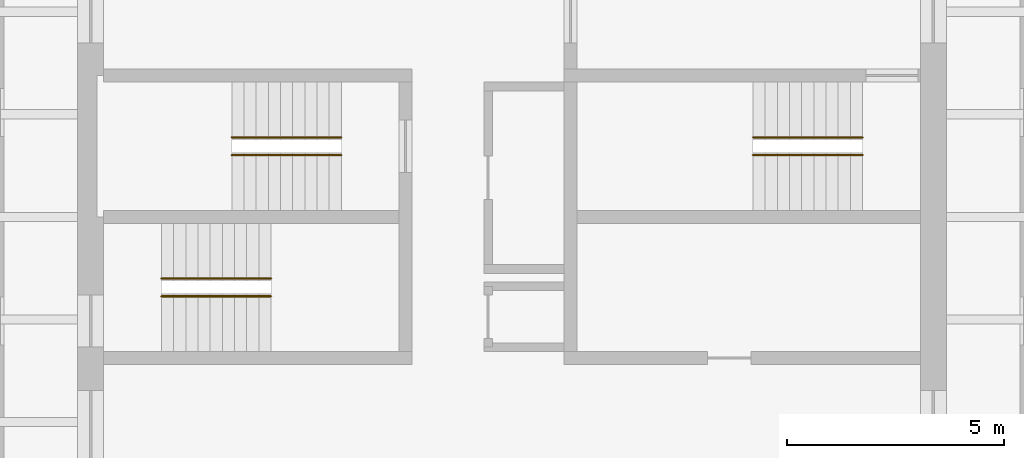
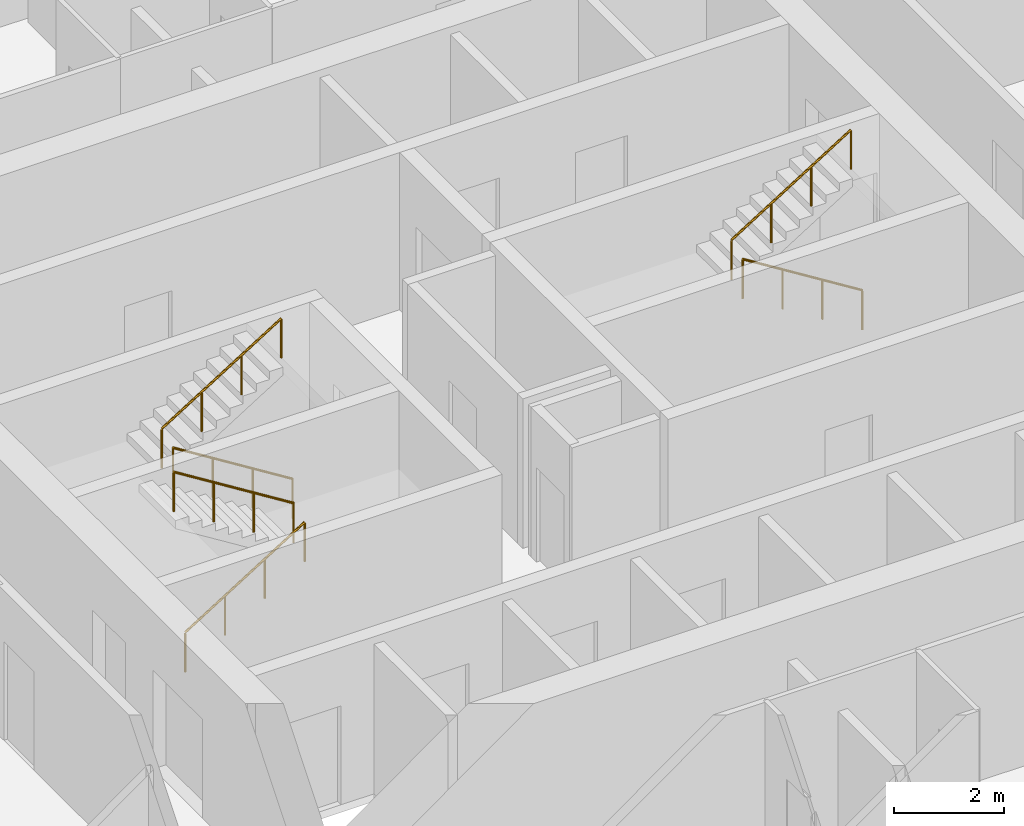
# One storey, part 12 of 12: 6 railings.
"""IFC4 building model written with IfcOpenShell, lengths in metres."""

from ifc_helpers import new_model, si_unit, direction, frame, origin, origin_2d, place, context, subcontext, project, spatial, circle, extrude, material, type_object, element, save


model = new_model("IFC4")

# Units and contexts
model_context = context("Model", 3, precision=1e-05, world=origin(), true_north=direction((0.0, 1.0)))
body_context = subcontext(model_context, "Body", "Model", "MODEL_VIEW")
ifc_project = project(units=[si_unit("LENGTHUNIT", "METRE"), si_unit("AREAUNIT", "SQUARE_METRE"), si_unit("VOLUMEUNIT", "CUBIC_METRE"), si_unit("PLANEANGLEUNIT", "RADIAN"), si_unit("MASSUNIT", "GRAM", prefix="KILO")], contexts=[model_context])

# Site, building, storey
site_placement = place(None, origin())
site = spatial("IfcSite", under=ifc_project, at=site_placement, CompositionType="ELEMENT")
building_placement = place(site_placement, origin())
building = spatial("IfcBuilding", under=site, at=building_placement, Name="Turquesa Mirador Hotel Tower", CompositionType="ELEMENT")
storey_placement = place(building_placement, frame((0.0, 0.0, 233.699951171875)))
storey = spatial("IfcBuildingStorey", under=building, at=storey_placement, Name="L63", CompositionType="ELEMENT", Elevation=233.699951171875)

# Railings
ifc_material = material(Name="Painted steel handrail", Category="steel")
railing_type = type_object("IfcRailingType", Name="HANDRAIL 900 STEEL", PredefinedType="HANDRAIL", material=ifc_material)
railing_1_placement = place(storey_placement, frame((51.070068359375, 46.419921875, 0.175048828125)))
element("IfcRailing", 1, at=railing_1_placement, inside=storey, type_object=railing_type, Name="Handrail ST1", PredefinedType="HANDRAIL", context=body_context, shape_type="SweptSolid", body=[
    extrude(circle(Radius=0.02392578125, at=origin_2d()), frame((0.0, 0.0, 0.8759765625), z_axis=(-0.848007534815, 0.0, 0.529984170421), x_axis=(0.0, -1.0, 0.0)), (0.0, 0.0, 1.0), 2.9716796875),
    extrude(circle(Radius=0.02099609375, at=origin_2d()), origin(), (0.0, 0.0, 1.0), 0.851806640625),
    extrude(circle(Radius=0.02099609375, at=origin_2d()), frame((-0.840087890625, 0.0, 0.52490234375)), (0.0, 0.0, 1.0), 0.851806640625),
    extrude(circle(Radius=0.02099609375, at=origin_2d()), frame((-1.679931640625, 0.0, 1.050048828125)), (0.0, 0.0, 1.0), 0.851806640625),
    extrude(circle(Radius=0.02099609375, at=origin_2d()), frame((-2.52001953125, 0.0, 1.574951171875)), (0.0, 0.0, 1.0), 0.851806640625),
])
for number, where, name in (
    (2, (48.550048828125, 46.830078125, 1.925048828125), "Handrail ST1"),
    (3, (46.929931640625, 43.169921875, 0.175048828125), "Handrail ST2"),
):
    element("IfcRailing", number, at=place(storey_placement, frame(where)), inside=storey, type_object=railing_type, Name=name, PredefinedType="HANDRAIL", context=body_context, shape_type="SweptSolid", body=[
        extrude(circle(Radius=0.02392578125, at=origin_2d()), frame((0.0, 0.0, 0.8759765625), z_axis=(0.848007534815, 0.0, 0.529984170421), x_axis=(0.0, 1.0, 0.0)), (0.0, 0.0, 1.0), 2.9716796875),
        extrude(circle(Radius=0.02099609375, at=origin_2d()), origin(), (0.0, 0.0, 1.0), 0.851806640625),
        extrude(circle(Radius=0.02099609375, at=origin_2d()), frame((0.840087890625, 0.0, 0.52490234375)), (0.0, 0.0, 1.0), 0.851806640625),
        extrude(circle(Radius=0.02099609375, at=origin_2d()), frame((1.679931640625, 0.0, 1.050048828125)), (0.0, 0.0, 1.0), 0.851806640625),
        extrude(circle(Radius=0.02099609375, at=origin_2d()), frame((2.52001953125, 0.0, 1.574951171875)), (0.0, 0.0, 1.0), 0.851806640625),
    ])
for number, where, name in (
    (4, (49.449951171875, 43.580078125, 1.925048828125), "Handrail ST2"),
    (5, (63.070068359375, 46.419921875, 0.175048828125), "Handrail ST3"),
):
    element("IfcRailing", number, at=place(storey_placement, frame(where)), inside=storey, type_object=railing_type, Name=name, PredefinedType="HANDRAIL", context=body_context, shape_type="SweptSolid", body=[
        extrude(circle(Radius=0.02392578125, at=origin_2d()), frame((0.0, 0.0, 0.8759765625), z_axis=(-0.848007534815, 0.0, 0.529984170421), x_axis=(0.0, -1.0, 0.0)), (0.0, 0.0, 1.0), 2.9716796875),
        extrude(circle(Radius=0.02099609375, at=origin_2d()), origin(), (0.0, 0.0, 1.0), 0.851806640625),
        extrude(circle(Radius=0.02099609375, at=origin_2d()), frame((-0.840087890625, 0.0, 0.52490234375)), (0.0, 0.0, 1.0), 0.851806640625),
        extrude(circle(Radius=0.02099609375, at=origin_2d()), frame((-1.679931640625, 0.0, 1.050048828125)), (0.0, 0.0, 1.0), 0.851806640625),
        extrude(circle(Radius=0.02099609375, at=origin_2d()), frame((-2.52001953125, 0.0, 1.574951171875)), (0.0, 0.0, 1.0), 0.851806640625),
    ])
railing_2_placement = place(storey_placement, frame((60.550048828125, 46.830078125, 1.925048828125)))
element("IfcRailing", 6, at=railing_2_placement, inside=storey, type_object=railing_type, Name="Handrail ST3", PredefinedType="HANDRAIL", context=body_context, shape_type="SweptSolid", body=[
    extrude(circle(Radius=0.02392578125, at=origin_2d()), frame((0.0, 0.0, 0.8759765625), z_axis=(0.848007534815, 0.0, 0.529984170421), x_axis=(0.0, 1.0, 0.0)), (0.0, 0.0, 1.0), 2.9716796875),
    extrude(circle(Radius=0.02099609375, at=origin_2d()), origin(), (0.0, 0.0, 1.0), 0.851806640625),
    extrude(circle(Radius=0.02099609375, at=origin_2d()), frame((0.840087890625, 0.0, 0.52490234375)), (0.0, 0.0, 1.0), 0.851806640625),
    extrude(circle(Radius=0.02099609375, at=origin_2d()), frame((1.679931640625, 0.0, 1.050048828125)), (0.0, 0.0, 1.0), 0.851806640625),
    extrude(circle(Radius=0.02099609375, at=origin_2d()), frame((2.52001953125, 0.0, 1.574951171875)), (0.0, 0.0, 1.0), 0.851806640625),
])

save(model, "model.ifc")
